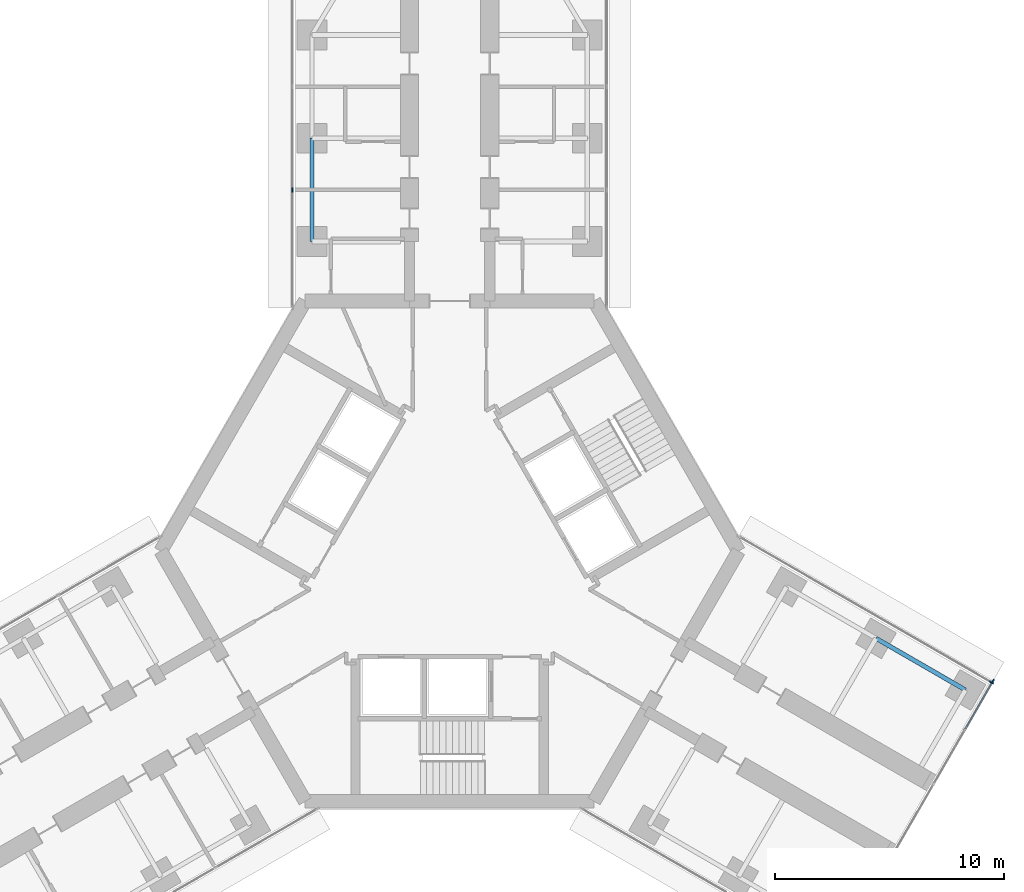
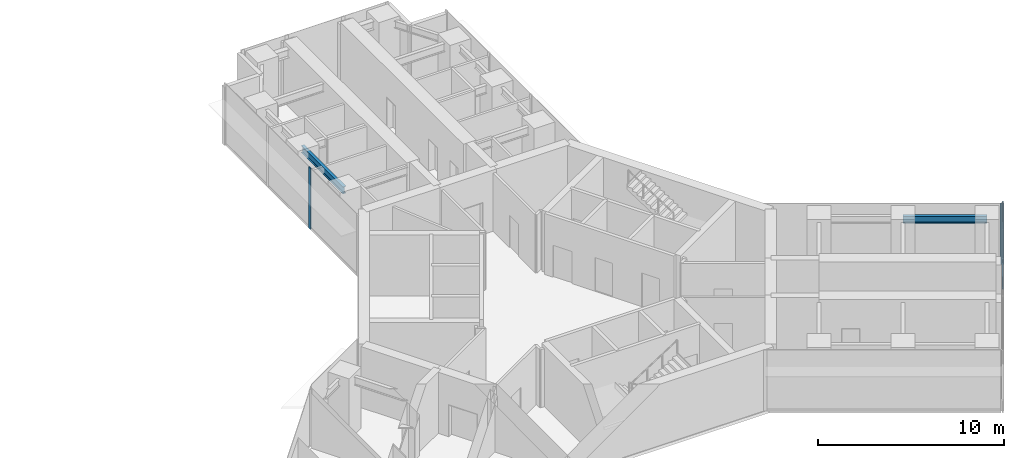
# One storey, part 11 of 22: 4 members, 2 beams, 3 elements without a shape of their own.
"""IFC4 building model written with IfcOpenShell, lengths in metres."""

from ifc_helpers import new_model, si_unit, direction, frame, origin, origin_2d, place, context, subcontext, project, spatial, rectangle, i_section, extrude, material, material_profile, profile_set, type_object, element, aggregate, save


model = new_model("IFC4")

# Units and contexts
model_context = context("Model", 3, precision=1e-05, world=origin(), true_north=direction((0.0, 1.0)))
body_context = subcontext(model_context, "Body", "Model", "MODEL_VIEW")
ifc_project = project(units=[si_unit("LENGTHUNIT", "METRE"), si_unit("AREAUNIT", "SQUARE_METRE"), si_unit("VOLUMEUNIT", "CUBIC_METRE"), si_unit("PLANEANGLEUNIT", "RADIAN"), si_unit("MASSUNIT", "GRAM", prefix="KILO")], contexts=[model_context])

# Site, building, storey
site_placement = place(None, origin())
site = spatial("IfcSite", under=ifc_project, at=site_placement, CompositionType="ELEMENT")
building_placement = place(site_placement, origin())
building = spatial("IfcBuilding", under=site, at=building_placement, Name="Upepo Twin Towers", CompositionType="ELEMENT")
storey_placement = place(building_placement, frame((0.0, 0.0, 125.5)))
storey = spatial("IfcBuildingStorey", under=building, at=storey_placement, Name="L30", CompositionType="ELEMENT", Elevation=125.5)

# Beams
ifc_material_1 = material(Name="Steel S355", Category="steel")
ifc_material_profile_1 = material_profile(ifc_material_1, i_section(OverallWidth=0.1904296875, OverallDepth=0.45703125, WebThickness=0.009033203125, FlangeThickness=0.014404296875, FilletRadius=0.01025390625, at=origin_2d()), Name="UB 457x191x74")
ifc_profile_set_1 = profile_set([ifc_material_profile_1], Name="Steel S355")
beam_type = type_object("IfcBeamType", Name="Beam UB 457x191x74", PredefinedType="BEAM", material=ifc_profile_set_1)
for number, where, z_axis, x_axis, name in (
    (1, (52.5, -4.5, 3.571533203125), (0.0, 1.0, 0.0), (-1.0, 0.0, 0.0), "T2 edge beam AL 13.5-18.0"),
    (2, (77.08837890625, -21.803955078125, 3.571533203125), (0.866031096941, -0.499990139034, 0.0), (0.499990139034, 0.866031096941, 0.0), "T2 edge beam CL 18.0-22.5"),
):
    element("IfcBeam", number, at=place(storey_placement, frame(where, z_axis=z_axis, x_axis=x_axis)), inside=storey, type_object=beam_type, Name=name, PredefinedType="BEAM", context=body_context, shape_type="SweptSolid", body=[
        extrude(i_section(OverallWidth=0.1904296875, OverallDepth=0.45703125, WebThickness=0.009033203125, FlangeThickness=0.014404296875, FilletRadius=0.01025390625, at=origin_2d()), origin(), (0.0, 0.0, 1.0), 4.5),
    ])

# Curtain wall, member
ifc_material_2 = material(Name="Aluminium and fritted glass", Category="aluminium")
curtain_wall_type = type_object("IfcCurtainWallType", Name="Tower curtain wall TW2, fritted glass", PredefinedType="NOTDEFINED", material=ifc_material_2)
curtain_wall_1_placement = place(storey_placement, origin())
curtain_wall_1 = element("IfcCurtainWall", 3, at=curtain_wall_1_placement, inside=storey, type_object=curtain_wall_type, Name="T2 L30 wing A flank L curtain wall", PredefinedType="NOTDEFINED")
ifc_material_3 = material(Name="Aluminium mullion", Category="aluminium")
ifc_material_profile_2 = material_profile(ifc_material_3, rectangle(XDim=0.06494140625, YDim=0.199951171875, at=origin_2d()), Name="MULLION 65x200")
ifc_profile_set_2 = profile_set([ifc_material_profile_2], Name="Aluminium mullion")
member_type_1 = type_object("IfcMemberType", Name="Mullion 65x200 TW2", PredefinedType="MULLION", material=ifc_profile_set_2)
member_1_placement = place(storey_placement, frame((51.64990234375, -2.25, 0.0), z_axis=(0.0, 0.0, 1.0), x_axis=(-1.0, 0.0, 0.0)))
member_1 = element("IfcMember", 4, at=member_1_placement, type_object=member_type_1, Name="T2 L30 wing A flank L curtain wall mullion 2", PredefinedType="MULLION", context=body_context, shape_type="SweptSolid", body=[
    extrude(rectangle(XDim=0.06494140625, YDim=0.199951171875, at=origin_2d()), origin(), (0.0, 0.0, 1.0), 4.0),
])
aggregate(curtain_wall_1, [member_1])

curtain_wall_2_placement = place(storey_placement, origin())
curtain_wall_2 = element("IfcCurtainWall", 5, at=curtain_wall_2_placement, inside=storey, type_object=curtain_wall_type, Name="T2 L30 wing C flank L curtain wall", PredefinedType="NOTDEFINED")
member_2_placement = place(storey_placement, frame((82.11865234375, -23.7265625, 0.0), z_axis=(0.0, 0.0, 1.0), x_axis=(0.50000000792, 0.866025399212, 0.0)))
member_2 = element("IfcMember", 6, at=member_2_placement, type_object=member_type_1, Name="T2 L30 wing C flank L curtain wall mullion 2", PredefinedType="MULLION", context=body_context, shape_type="SweptSolid", body=[
    extrude(rectangle(XDim=0.06494140625, YDim=0.199951171875, at=origin_2d()), origin(), (0.0, 0.0, 1.0), 4.0),
])
aggregate(curtain_wall_2, [member_2])

# Curtain wall, members
curtain_wall_3_placement = place(storey_placement, origin())
curtain_wall_3 = element("IfcCurtainWall", 7, at=curtain_wall_3_placement, inside=storey, type_object=curtain_wall_type, Name="T2 L30 wing C nose curtain wall", PredefinedType="NOTDEFINED")
member_3_placement = place(storey_placement, frame((82.180419921875, -23.684326171875, 0.0), z_axis=(0.0, 0.0, 1.0), x_axis=(-0.866025419745, 0.499999972355, 0.0)))
member_3 = element("IfcMember", 8, at=member_3_placement, type_object=member_type_1, Name="T2 L30 wing C nose curtain wall mullion 6", PredefinedType="MULLION", context=body_context, shape_type="SweptSolid", body=[
    extrude(rectangle(XDim=0.06494140625, YDim=0.199951171875, at=origin_2d()), origin(), (0.0, 0.0, 1.0), 4.0),
])
ifc_material_4 = material(Name="Aluminium transom", Category="aluminium")
ifc_material_profile_3 = material_profile(ifc_material_4, rectangle(XDim=0.06494140625, YDim=0.14990234375, at=origin_2d()), Name="TRANSOM 65x150")
ifc_profile_set_3 = profile_set([ifc_material_profile_3], Name="Aluminium transom")
member_type_2 = type_object("IfcMemberType", Name="Transom 65x150 TW2", PredefinedType="USERDEFINED", material=ifc_profile_set_3)
member_4_placement = place(storey_placement, frame((80.988037109375, -25.749755859375, 0.074951171875), z_axis=(0.50000093428, 0.866024864377, 0.0), x_axis=(-0.866024864377, 0.50000093428, 0.0)))
member_4 = element("IfcMember", 9, at=member_4_placement, type_object=member_type_2, Name="T2 L30 wing C nose curtain wall transom 5", ObjectType="TRANSOM", PredefinedType="USERDEFINED", context=body_context, shape_type="SweptSolid", body=[
    extrude(rectangle(XDim=0.06494140625, YDim=0.14990234375, at=origin_2d()), origin(), (0.0, 0.0, 1.0), 2.3525390625),
])
aggregate(curtain_wall_3, [member_3, member_4])

save(model, "model.ifc")
